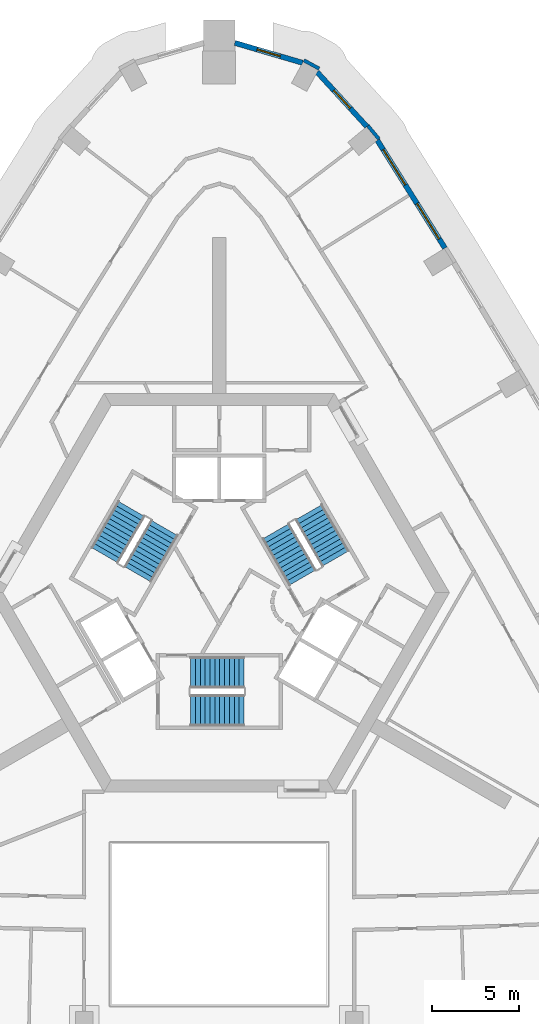
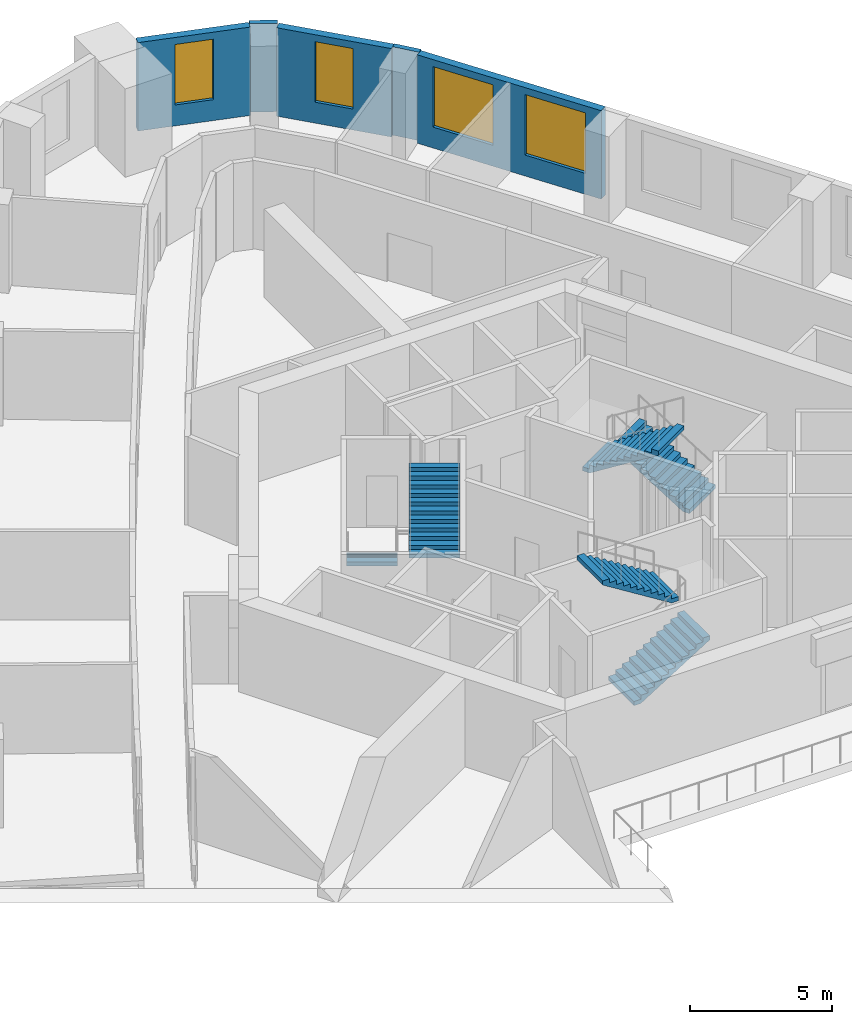
# One storey, part 10 of 13: 6 stair flights, 5 walls, 4 windows, 4 openings, 3 elements without a shape of their own.
"""IFC4 building model written with IfcOpenShell, lengths in metres."""

from ifc_helpers import new_model, si_unit, direction, frame, frame_2d, origin, place, context, subcontext, project, spatial, polyline, rectangle, outline, extrude, material, layer, layer_set, type_object, element, fill, aggregate, save


model = new_model("IFC4")

# Units and contexts
model_context = context("Model", 3, precision=1e-05, world=origin(), true_north=direction((0.0, 1.0)))
body_context = subcontext(model_context, "Body", "Model", "MODEL_VIEW")
ifc_project = project(units=[si_unit("LENGTHUNIT", "METRE"), si_unit("AREAUNIT", "SQUARE_METRE"), si_unit("VOLUMEUNIT", "CUBIC_METRE"), si_unit("PLANEANGLEUNIT", "RADIAN"), si_unit("MASSUNIT", "GRAM", prefix="KILO")], contexts=[model_context])

# Site, building, storey
site_placement = place(None, origin())
site = spatial("IfcSite", under=ifc_project, at=site_placement, CompositionType="ELEMENT")
building_placement = place(site_placement, origin())
building = spatial("IfcBuilding", under=site, at=building_placement, Name="Entoto Arch Interchange Tower", CompositionType="ELEMENT")
storey_placement = place(building_placement, frame((0.0, 0.0, 219.199951171875)))
storey = spatial("IfcBuildingStorey", under=building, at=storey_placement, Name="L49", CompositionType="ELEMENT", Elevation=219.199951171875)

# Wall, openings, windows
ifc_material_1 = material(Name="Welded tuff (ignimbrite) cladding, warm buff", Category="masonry")
ifc_layer_1 = layer(ifc_material_1, 0.300048828125)
ifc_layer_set_1 = layer_set([ifc_layer_1], Name="Welded tuff (ignimbrite) cladding, warm buff")
wall_type_1 = type_object("IfcWallType", Name="STONE INFILL WALL 300", PredefinedType="STANDARD", material=ifc_layer_set_1)
wall_1_placement = place(storey_placement, frame((13.02099609375, 22.3740234375, 0.0), z_axis=(0.0, 0.0, 1.0), x_axis=(-0.531239262679, 0.847221839773, 0.0)))
wall_1 = element("IfcWall", 1, at=wall_1_placement, inside=storey, type_object=wall_type_1, Name="Facade wall NE-05 L49", PredefinedType="STANDARD", context=body_context, shape_type="SweptSolid", body=[
    extrude(rectangle(XDim=7.33935546875, YDim=0.300048828125, at=frame_2d((3.669677734375, 0.0))), origin(), (0.0, 0.0, 1.0), 3.800048828125),
])
opening_1_placement = place(wall_1_placement, frame((0.635009765625, 0.0, 0.89990234375)))
opening_1 = element("IfcOpeningElement", 2, at=opening_1_placement, cuts=wall_1, Name="Opening WO-A", PredefinedType="OPENING", context=body_context, shape_type="SweptSolid", body=[
    extrude(rectangle(XDim=2.39990234375, YDim=2.60009765625, at=frame_2d((1.199951171875, 1.300048828125))), frame((0.0, 0.16015625, 0.0), z_axis=(0.0, -1.0, 0.0), x_axis=(1.0, 0.0, 0.0)), (0.0, 0.0, 1.0), 0.320068359375),
])
opening_2_placement = place(wall_1_placement, frame((4.303955078125, 0.0, 0.89990234375)))
opening_2 = element("IfcOpeningElement", 3, at=opening_2_placement, cuts=wall_1, Name="Opening WO-A", PredefinedType="OPENING", context=body_context, shape_type="SweptSolid", body=[
    extrude(rectangle(XDim=2.39990234375, YDim=2.60009765625, at=frame_2d((1.199951171875, 1.300048828125))), frame((0.0, 0.16015625, 0.0), z_axis=(0.0, -1.0, 0.0), x_axis=(1.0, 0.0, 0.0)), (0.0, 0.0, 1.0), 0.320068359375),
])
ifc_material_2 = material(Name="Clear glass, low-e double glazed", Category="glass")
window_type_1 = type_object("IfcWindowType", Name="WINDOW WO-A 2400x2600", PartitioningType="DOUBLE_PANEL_VERTICAL", PredefinedType="WINDOW", material=ifc_material_2)
window_1_placement = place(opening_1_placement, origin())
window_1 = element("IfcWindow", 4, at=window_1_placement, inside=storey, type_object=window_type_1, Name="Window WO-A NE-05 L49", OverallHeight=2.60009765625, OverallWidth=2.39990234375, PartitioningType="SINGLE_PANEL", PredefinedType="WINDOW", context=body_context, shape_type="SweptSolid", body=[
    extrude(rectangle(XDim=2.39990234375, YDim=2.60009765625, at=frame_2d((1.199951171875, 1.300048828125))), frame((0.0, 0.030029296875, 0.0), z_axis=(0.0, -1.0, 0.0), x_axis=(1.0, 0.0, 0.0)), (0.0, 0.0, 1.0), 0.06005859375),
])
fill(opening_1, window_1)
window_2_placement = place(opening_2_placement, origin())
window_2 = element("IfcWindow", 5, at=window_2_placement, inside=storey, type_object=window_type_1, Name="Window WO-A NE-05 L49", OverallHeight=2.60009765625, OverallWidth=2.39990234375, PartitioningType="SINGLE_PANEL", PredefinedType="WINDOW", context=body_context, shape_type="SweptSolid", body=[
    extrude(rectangle(XDim=2.39990234375, YDim=2.60009765625, at=frame_2d((1.199951171875, 1.300048828125))), frame((0.0, 0.030029296875, 0.0), z_axis=(0.0, -1.0, 0.0), x_axis=(1.0, 0.0, 0.0)), (0.0, 0.0, 1.0), 0.06005859375),
])
fill(opening_2, window_2)

# Wall, opening, window
wall_2_placement = place(storey_placement, frame((8.51806640625, 29.387939453125, 0.0), z_axis=(0.0, 0.0, 1.0), x_axis=(-0.674487390017, 0.738286367684, 0.0)))
wall_2 = element("IfcWall", 6, at=wall_2_placement, inside=storey, type_object=wall_type_1, Name="Facade wall N-01 L49", PredefinedType="STANDARD", context=body_context, shape_type="SweptSolid", body=[
    extrude(rectangle(XDim=4.24755859375, YDim=0.300048828125, at=frame_2d((2.123779296875, 0.0))), origin(), (0.0, 0.0, 1.0), 3.800048828125),
])
opening_3_placement = place(wall_2_placement, frame((1.424072265625, 0.0, 0.89990234375)))
opening_3 = element("IfcOpeningElement", 7, at=opening_3_placement, cuts=wall_2, Name="Opening WO-B", PredefinedType="OPENING", context=body_context, shape_type="SweptSolid", body=[
    extrude(rectangle(XDim=1.39990234375, YDim=2.60009765625, at=frame_2d((0.699951171875, 1.300048828125))), frame((0.0, 0.16015625, 0.0), z_axis=(0.0, -1.0, 0.0), x_axis=(1.0, 0.0, 0.0)), (0.0, 0.0, 1.0), 0.320068359375),
])
window_type_2 = type_object("IfcWindowType", Name="WINDOW WO-B 1400x2600", PartitioningType="DOUBLE_PANEL_VERTICAL", PredefinedType="WINDOW", material=ifc_material_2)
window_3_placement = place(opening_3_placement, origin())
window_3 = element("IfcWindow", 8, at=window_3_placement, inside=storey, type_object=window_type_2, Name="Window WO-B N-01 L49", OverallHeight=2.60009765625, OverallWidth=1.39990234375, PartitioningType="SINGLE_PANEL", PredefinedType="WINDOW", context=body_context, shape_type="SweptSolid", body=[
    extrude(rectangle(XDim=1.39990234375, YDim=2.60009765625, at=frame_2d((0.699951171875, 1.300048828125))), frame((0.0, 0.030029296875, 0.0), z_axis=(0.0, -1.0, 0.0), x_axis=(1.0, 0.0, 0.0)), (0.0, 0.0, 1.0), 0.06005859375),
])
fill(opening_3, window_3)

wall_3_placement = place(storey_placement, frame((4.81005859375, 33.06201171875, 0.0), z_axis=(0.0, 0.0, 1.0), x_axis=(-0.959458909918, 0.281848541203, 0.0)))
wall_3 = element("IfcWall", 9, at=wall_3_placement, inside=storey, type_object=wall_type_1, Name="Facade wall N-02 L49", PredefinedType="STANDARD", context=body_context, shape_type="SweptSolid", body=[
    extrude(rectangle(XDim=4.076416015625, YDim=0.300048828125, at=frame_2d((2.0380859375, 0.0))), origin(), (0.0, 0.0, 1.0), 3.800048828125),
])
opening_4_placement = place(wall_3_placement, frame((1.337890625, 0.0, 0.89990234375)))
opening_4 = element("IfcOpeningElement", 10, at=opening_4_placement, cuts=wall_3, Name="Opening WO-B", PredefinedType="OPENING", context=body_context, shape_type="SweptSolid", body=[
    extrude(rectangle(XDim=1.39990234375, YDim=2.60009765625, at=frame_2d((0.699951171875, 1.300048828125))), frame((0.0, 0.16015625, 0.0), z_axis=(0.0, -1.0, 0.0), x_axis=(1.0, 0.0, 0.0)), (0.0, 0.0, 1.0), 0.320068359375),
])
window_4_placement = place(opening_4_placement, origin())
window_4 = element("IfcWindow", 11, at=window_4_placement, inside=storey, type_object=window_type_2, Name="Window WO-B N-02 L49", OverallHeight=2.60009765625, OverallWidth=1.39990234375, PartitioningType="SINGLE_PANEL", PredefinedType="WINDOW", context=body_context, shape_type="SweptSolid", body=[
    extrude(rectangle(XDim=1.39990234375, YDim=2.60009765625, at=frame_2d((0.699951171875, 1.300048828125))), frame((0.0, 0.030029296875, 0.0), z_axis=(0.0, -1.0, 0.0), x_axis=(1.0, 0.0, 0.0)), (0.0, 0.0, 1.0), 0.06005859375),
])
fill(opening_4, window_4)

# Walls
ifc_layer_2 = layer(ifc_material_1, 0.199951171875)
ifc_layer_set_2 = layer_set([ifc_layer_2], Name="Welded tuff (ignimbrite) cladding, warm buff")
wall_type_2 = type_object("IfcWallType", Name="STONE PIER CLADDING 200", PredefinedType="STANDARD", material=ifc_layer_set_2)
wall_4_placement = place(storey_placement, frame((5.763916015625, 32.72607421875, 0.0), z_axis=(0.0, 0.0, 1.0), x_axis=(-0.878250009632, 0.478201757191, 0.0)))
element("IfcWall", 12, at=wall_4_placement, inside=storey, type_object=wall_type_2, Name="Stone pier N1 L49", PredefinedType="STANDARD", context=body_context, shape_type="SweptSolid", body=[
    extrude(rectangle(XDim=0.999755859375, YDim=0.199951171875, at=frame_2d((0.5, 0.0))), origin(), (0.0, 0.0, 1.0), 3.800048828125),
])
wall_5_placement = place(storey_placement, frame((9.212890625, 28.666015625, 0.0), z_axis=(0.0, 0.0, 1.0), x_axis=(-0.637972365578, 0.770059257953, 0.0)))
element("IfcWall", 13, at=wall_5_placement, inside=storey, type_object=wall_type_2, Name="Stone pier NE06 L49", PredefinedType="STANDARD", context=body_context, shape_type="SweptSolid", body=[
    extrude(rectangle(XDim=1.0, YDim=0.199951171875, at=frame_2d((0.5, 0.0))), origin(), (0.0, 0.0, 1.0), 3.800048828125),
])

# Stair, stair flights
ifc_material_3 = material(Name="Concrete C40/50", Category="concrete")
stair_type = type_object("IfcStairType", Name="EXIT STAIR RC 1800", PredefinedType="HALF_TURN_STAIR", material=ifc_material_3)
stair_1_placement = place(storey_placement, origin())
stair_1 = element("IfcStair", 14, at=stair_1_placement, inside=storey, type_object=stair_type, Name="L49 Exit stair S", PredefinedType="HALF_TURN_STAIR")
stair_flight_type = type_object("IfcStairFlightType", Name="EXIT STAIR FLIGHT RC 1800", PredefinedType="STRAIGHT", material=ifc_material_3)
stair_flight_1_placement = place(storey_placement, frame((-1.64990234375, -4.300048828125, 0.0), z_axis=(0.0, 0.0, 1.0), x_axis=(1.0, 0.0, 0.0)))
stair_flight_1 = element("IfcStairFlight", 15, at=stair_flight_1_placement, type_object=stair_flight_type, Name="ST-S flight 1", NumberOfRisers=12, NumberOfTreads=11, PredefinedType="STRAIGHT", RiserHeight=0.175, TreadLength=0.28, context=body_context, shape_type="SweptSolid", body=[
    extrude(outline(polyline([(-0.0029296875, 0.0), (-0.0029296875, 0.175048828125), (0.280029296875, 0.175048828125), (0.280029296875, 0.35009765625), (0.56005859375, 0.35009765625), (0.56005859375, 0.52490234375), (0.840087890625, 0.52490234375), (0.840087890625, 0.699951171875), (1.1201171875, 0.699951171875), (1.1201171875, 0.875), (1.39990234375, 0.875), (1.39990234375, 1.050048828125), (1.679931640625, 1.050048828125), (1.679931640625, 1.22509765625), (1.9599609375, 1.22509765625), (1.9599609375, 1.39990234375), (2.239990234375, 1.39990234375), (2.239990234375, 1.574951171875), (2.52001953125, 1.574951171875), (2.52001953125, 1.75), (2.800048828125, 1.75), (2.800048828125, 1.925048828125), (3.080078125, 1.925048828125), (3.0830078125, 1.925048828125), (3.0830078125, 1.75), (0.28271484375, 0.0), (-0.0029296875, 0.0)])), frame((0.0, 0.89990234375, 0.0), z_axis=(0.0, -1.0, 0.0), x_axis=(1.0, 0.0, 0.0)), (0.0, 0.0, 1.0), 1.800048828125),
])
stair_flight_2_placement = place(storey_placement, frame((1.429931640625, -2.10009765625, 2.10009765625), z_axis=(0.0, 0.0, 1.0), x_axis=(-1.0, 0.0, 0.0)))
stair_flight_2 = element("IfcStairFlight", 16, at=stair_flight_2_placement, type_object=stair_flight_type, Name="ST-S flight 2", NumberOfRisers=12, NumberOfTreads=11, PredefinedType="STRAIGHT", RiserHeight=0.175, TreadLength=0.28, context=body_context, shape_type="SweptSolid", body=[
    extrude(outline(polyline([(-0.0029296875, 0.0), (-0.0029296875, 0.175048828125), (0.280029296875, 0.175048828125), (0.280029296875, 0.35009765625), (0.56005859375, 0.35009765625), (0.56005859375, 0.52490234375), (0.840087890625, 0.52490234375), (0.840087890625, 0.699951171875), (1.1201171875, 0.699951171875), (1.1201171875, 0.875), (1.39990234375, 0.875), (1.39990234375, 1.050048828125), (1.679931640625, 1.050048828125), (1.679931640625, 1.22509765625), (1.9599609375, 1.22509765625), (1.9599609375, 1.39990234375), (2.239990234375, 1.39990234375), (2.239990234375, 1.574951171875), (2.52001953125, 1.574951171875), (2.52001953125, 1.75), (2.800048828125, 1.75), (2.800048828125, 1.925048828125), (3.080078125, 1.925048828125), (3.0830078125, 1.925048828125), (3.0830078125, 1.75), (0.28271484375, 0.0), (-0.0029296875, 0.0)])), frame((0.0, 0.89990234375, 0.0), z_axis=(0.0, -1.0, 0.0), x_axis=(1.0, 0.0, 0.0)), (0.0, 0.0, 1.0), 1.800048828125),
])
aggregate(stair_1, [stair_flight_1, stair_flight_2])

stair_2_placement = place(storey_placement, origin())
stair_2 = element("IfcStair", 17, at=stair_2_placement, inside=storey, type_object=stair_type, Name="L49 Exit stair NE", PredefinedType="HALF_TURN_STAIR")
stair_flight_3_placement = place(storey_placement, frame((6.7138671875, 4.470947265625, 0.0), z_axis=(0.0, 0.0, 1.0), x_axis=(-0.5, 0.866025403784, 0.0)))
stair_flight_3 = element("IfcStairFlight", 18, at=stair_flight_3_placement, type_object=stair_flight_type, Name="ST-NE flight 1", NumberOfRisers=12, NumberOfTreads=11, PredefinedType="STRAIGHT", RiserHeight=0.175, TreadLength=0.28, context=body_context, shape_type="SweptSolid", body=[
    extrude(outline(polyline([(-0.0029296875, 0.0), (-0.0029296875, 0.175048828125), (0.280029296875, 0.175048828125), (0.280029296875, 0.35009765625), (0.56005859375, 0.35009765625), (0.56005859375, 0.52490234375), (0.840087890625, 0.52490234375), (0.840087890625, 0.699951171875), (1.1201171875, 0.699951171875), (1.1201171875, 0.875), (1.39990234375, 0.875), (1.39990234375, 1.050048828125), (1.679931640625, 1.050048828125), (1.679931640625, 1.22509765625), (1.9599609375, 1.22509765625), (1.9599609375, 1.39990234375), (2.239990234375, 1.39990234375), (2.239990234375, 1.574951171875), (2.52001953125, 1.574951171875), (2.52001953125, 1.75), (2.800048828125, 1.75), (2.800048828125, 1.925048828125), (3.080078125, 1.925048828125), (3.0830078125, 1.925048828125), (3.0830078125, 1.75), (0.28271484375, 0.0), (-0.0029296875, 0.0)])), frame((0.0, 0.89990234375, 0.0), z_axis=(0.0, -1.0, 0.0), x_axis=(1.0, 0.0, 0.0)), (0.0, 0.0, 1.0), 1.800048828125),
])
stair_flight_4_placement = place(storey_placement, frame((3.268798828125, 6.038330078125, 2.10009765625), z_axis=(0.0, 0.0, 1.0), x_axis=(0.5, -0.866025403784, 0.0)))
stair_flight_4 = element("IfcStairFlight", 19, at=stair_flight_4_placement, type_object=stair_flight_type, Name="ST-NE flight 2", NumberOfRisers=12, NumberOfTreads=11, PredefinedType="STRAIGHT", RiserHeight=0.175, TreadLength=0.28, context=body_context, shape_type="SweptSolid", body=[
    extrude(outline(polyline([(-0.0029296875, 0.0), (-0.0029296875, 0.175048828125), (0.280029296875, 0.175048828125), (0.280029296875, 0.35009765625), (0.56005859375, 0.35009765625), (0.56005859375, 0.52490234375), (0.840087890625, 0.52490234375), (0.840087890625, 0.699951171875), (1.1201171875, 0.699951171875), (1.1201171875, 0.875), (1.39990234375, 0.875), (1.39990234375, 1.050048828125), (1.679931640625, 1.050048828125), (1.679931640625, 1.22509765625), (1.9599609375, 1.22509765625), (1.9599609375, 1.39990234375), (2.239990234375, 1.39990234375), (2.239990234375, 1.574951171875), (2.52001953125, 1.574951171875), (2.52001953125, 1.75), (2.800048828125, 1.75), (2.800048828125, 1.925048828125), (3.080078125, 1.925048828125), (3.0830078125, 1.925048828125), (3.0830078125, 1.75), (0.28271484375, 0.0), (-0.0029296875, 0.0)])), frame((0.0, 0.89990234375, 0.0), z_axis=(0.0, -1.0, 0.0), x_axis=(1.0, 0.0, 0.0)), (0.0, 0.0, 1.0), 1.800048828125),
])
aggregate(stair_2, [stair_flight_3, stair_flight_4])

stair_3_placement = place(storey_placement, origin())
stair_3 = element("IfcStair", 20, at=stair_3_placement, inside=storey, type_object=stair_type, Name="L49 Exit stair NW", PredefinedType="HALF_TURN_STAIR")
stair_flight_5_placement = place(storey_placement, frame((-5.06396484375, 7.328857421875, 0.0), z_axis=(0.0, 0.0, 1.0), x_axis=(-0.5, -0.866025403784, 0.0)))
stair_flight_5 = element("IfcStairFlight", 21, at=stair_flight_5_placement, type_object=stair_flight_type, Name="ST-NW flight 1", NumberOfRisers=12, NumberOfTreads=11, PredefinedType="STRAIGHT", RiserHeight=0.175, TreadLength=0.28, context=body_context, shape_type="SweptSolid", body=[
    extrude(outline(polyline([(-0.0029296875, 0.0), (-0.0029296875, 0.175048828125), (0.280029296875, 0.175048828125), (0.280029296875, 0.35009765625), (0.56005859375, 0.35009765625), (0.56005859375, 0.52490234375), (0.840087890625, 0.52490234375), (0.840087890625, 0.699951171875), (1.1201171875, 0.699951171875), (1.1201171875, 0.875), (1.39990234375, 0.875), (1.39990234375, 1.050048828125), (1.679931640625, 1.050048828125), (1.679931640625, 1.22509765625), (1.9599609375, 1.22509765625), (1.9599609375, 1.39990234375), (2.239990234375, 1.39990234375), (2.239990234375, 1.574951171875), (2.52001953125, 1.574951171875), (2.52001953125, 1.75), (2.800048828125, 1.75), (2.800048828125, 1.925048828125), (3.080078125, 1.925048828125), (3.0830078125, 1.925048828125), (3.0830078125, 1.75), (0.28271484375, 0.0), (-0.0029296875, 0.0)])), frame((0.0, 0.89990234375, 0.0), z_axis=(0.0, -1.0, 0.0), x_axis=(1.0, 0.0, 0.0)), (0.0, 0.0, 1.0), 1.800048828125),
])
stair_flight_6_placement = place(storey_placement, frame((-4.69873046875, 3.5615234375, 2.10009765625), z_axis=(0.0, 0.0, 1.0), x_axis=(0.5, 0.866025403784, 0.0)))
stair_flight_6 = element("IfcStairFlight", 22, at=stair_flight_6_placement, type_object=stair_flight_type, Name="ST-NW flight 2", NumberOfRisers=12, NumberOfTreads=11, PredefinedType="STRAIGHT", RiserHeight=0.175, TreadLength=0.28, context=body_context, shape_type="SweptSolid", body=[
    extrude(outline(polyline([(-0.0029296875, 0.0), (-0.0029296875, 0.175048828125), (0.280029296875, 0.175048828125), (0.280029296875, 0.35009765625), (0.56005859375, 0.35009765625), (0.56005859375, 0.52490234375), (0.840087890625, 0.52490234375), (0.840087890625, 0.699951171875), (1.1201171875, 0.699951171875), (1.1201171875, 0.875), (1.39990234375, 0.875), (1.39990234375, 1.050048828125), (1.679931640625, 1.050048828125), (1.679931640625, 1.22509765625), (1.9599609375, 1.22509765625), (1.9599609375, 1.39990234375), (2.239990234375, 1.39990234375), (2.239990234375, 1.574951171875), (2.52001953125, 1.574951171875), (2.52001953125, 1.75), (2.800048828125, 1.75), (2.800048828125, 1.925048828125), (3.080078125, 1.925048828125), (3.0830078125, 1.925048828125), (3.0830078125, 1.75), (0.28271484375, 0.0), (-0.0029296875, 0.0)])), frame((0.0, 0.89990234375, 0.0), z_axis=(0.0, -1.0, 0.0), x_axis=(1.0, 0.0, 0.0)), (0.0, 0.0, 1.0), 1.800048828125),
])
aggregate(stair_3, [stair_flight_5, stair_flight_6])

save(model, "model.ifc")
